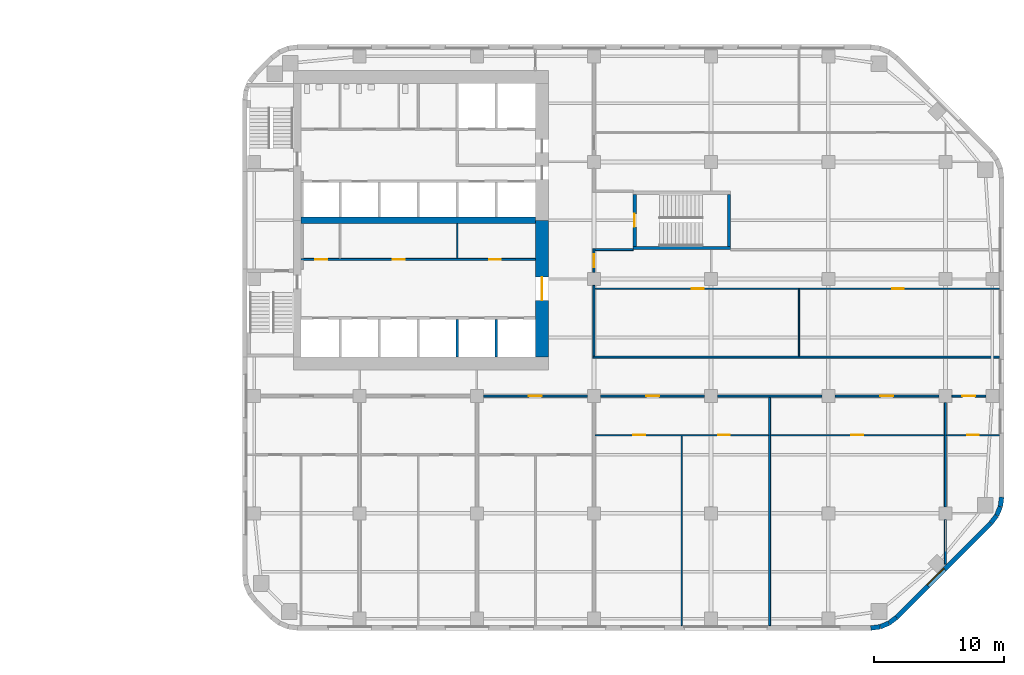
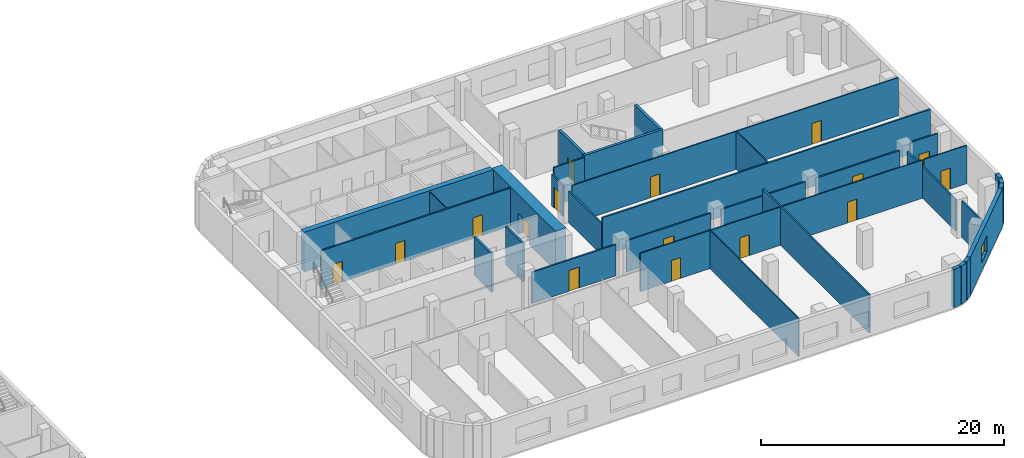
# One storey, part 10 of 16: 34 walls, 16 doors, 1 window, 17 openings.
"""IFC4 building model written with IfcOpenShell, lengths in metres."""

import ifcopenshell
import ifcopenshell.guid

model = None  # the IFC model being written
_history = None  # IfcOwnerHistory: only IFC2X3 demands one
_inside = {}  # id of a spatial element -> (the spatial element, [elements in it])
_under = {}  # id of a project, library or spatial element -> (it, [spatial elements below it])
_declared = {}  # id of a project -> (the project, [libraries it declares])
_typed = {}  # id of a type object -> (the type object, [elements of that type])
_made_of = {}  # id of a material, layer set ... -> (it, [elements and type objects made of it])


def new_model(schema):
    """Start an empty IFC model of exactly this schema.

    Asked for "IFC4X3", IfcOpenShell would pick the latest addendum, in which some entities
    have other attributes; the version numbers below select the first issue.
    IFC2X3 requires an IfcOwnerHistory on every rooted entity: one is made here for all.
    """
    global model, _history
    if schema == "IFC4X3":
        model = ifcopenshell.file(schema_version=(4, 3, 0, 0))
    else:
        model = ifcopenshell.file(schema=schema)
    _inside.clear()
    _under.clear()
    _declared.clear()
    _typed.clear()
    _made_of.clear()
    _history = None
    if model.schema == "IFC2X3":
        org = make("IfcOrganization", Name="unknown")
        user = make(
            "IfcPersonAndOrganization",
            ThePerson=make("IfcPerson", FamilyName="unknown"),
            TheOrganization=org,
        )
        app = make(
            "IfcApplication",
            ApplicationDeveloper=org,
            Version="unknown",
            ApplicationFullName="unknown",
            ApplicationIdentifier="unknown",
        )
        _history = make(
            "IfcOwnerHistory",
            OwningUser=user,
            OwningApplication=app,
            ChangeAction="ADDED",
            CreationDate=0,
        )
    return model


def make(cls, **values):
    """One entity of the class cls with the attributes given. An attribute that is None is left unset."""
    return model.create_entity(
        cls, **{name: value for name, value in values.items() if value is not None}
    )


def rooted(cls, **values):
    """An entity with a GlobalId (a new one), such as an element, a storey or a relation."""
    return make(cls, GlobalId=ifcopenshell.guid.new(), OwnerHistory=_history, **values)


def si_unit(unit_type, name, prefix=None):
    """IfcSIUnit, for example si_unit("LENGTHUNIT", "METRE", prefix="MILLI")."""
    return make("IfcSIUnit", UnitType=unit_type, Prefix=prefix, Name=name)


def assignment(units):
    """IfcUnitAssignment: the units of a project."""
    return None if units is None else make("IfcUnitAssignment", Units=units)


def point(xyz):
    """IfcCartesianPoint."""
    return None if xyz is None else make("IfcCartesianPoint", Coordinates=xyz)


def direction(xyz):
    """IfcDirection."""
    return None if xyz is None else make("IfcDirection", DirectionRatios=xyz)


def frame(location, z_axis=None, x_axis=None):
    """IfcAxis2Placement3D, a coordinate frame: its origin and axes. An axis left out is left unset."""
    return make(
        "IfcAxis2Placement3D",
        Location=point(location),
        Axis=direction(z_axis),
        RefDirection=direction(x_axis),
    )


def frame_2d(location, x_axis=None):
    """IfcAxis2Placement2D, a coordinate frame in the plane: its origin and x axis."""
    return make(
        "IfcAxis2Placement2D", Location=point(location), RefDirection=direction(x_axis)
    )


def origin():
    """The frame at (0, 0, 0) with its axes left unset."""
    return frame((0.0, 0.0, 0.0))


def place(relative_to, where):
    """IfcLocalPlacement: puts the frame where relative to a parent placement (None: the world)."""
    return make(
        "IfcLocalPlacement", PlacementRelTo=relative_to, RelativePlacement=where
    )


def context(
    kind, dimensions, precision=None, world=None, true_north=None, identifier=None
):
    """IfcGeometricRepresentationContext, for example the 3D "Model" context."""
    return make(
        "IfcGeometricRepresentationContext",
        ContextIdentifier=identifier,
        ContextType=kind,
        CoordinateSpaceDimension=dimensions,
        Precision=precision,
        WorldCoordinateSystem=world,
        TrueNorth=true_north,
    )


def subcontext(parent, identifier, kind, view, scale=None):
    """IfcGeometricRepresentationSubContext, for example "Body" below "Model"."""
    return make(
        "IfcGeometricRepresentationSubContext",
        ContextIdentifier=identifier,
        ContextType=kind,
        ParentContext=parent,
        TargetScale=scale,
        TargetView=view,
    )


def project(units=None, contexts=None):
    """IfcProject with its units and contexts."""
    return rooted(
        "IfcProject",
        Name="project",
        RepresentationContexts=contexts,
        UnitsInContext=assignment(units),
    )


def spatial(cls, under=None, at=None, **own):
    """A site, building, storey or space (cls), placed at a placement, below another one or the project."""
    s = rooted(cls, ObjectPlacement=at, **own)
    if under is not None:
        _under.setdefault(under.id(), (under, []))[1].append(s)
    return s


def profile(cls, at=None, kind="AREA", **sizes):
    """A parametric profile (cls). Its sizes go by their IFC names, for example OverallWidth=200.0."""
    return make(cls, ProfileType=kind, Position=at, **sizes)


def rectangle(**sizes):
    """IfcRectangleProfileDef."""
    return profile("IfcRectangleProfileDef", **sizes)


def extrude(swept, where, along, depth):
    """IfcExtrudedAreaSolid: the profile swept, set in the frame where, extruded along a direction by depth."""
    return make(
        "IfcExtrudedAreaSolid",
        SweptArea=swept,
        Position=where,
        ExtrudedDirection=direction(along),
        Depth=depth,
    )


def shape(context_of_items, identifier, shape_type, items):
    """IfcShapeRepresentation: the items that make up one representation, for example the "Body"."""
    return make(
        "IfcShapeRepresentation",
        ContextOfItems=context_of_items,
        RepresentationIdentifier=identifier,
        RepresentationType=shape_type,
        Items=items,
    )


def material(Name=None, Category=None):
    """IfcMaterial."""
    return make("IfcMaterial", Name=Name, Category=Category)


def layer(
    of_material, thickness, ventilated=None, Name=None, Category=None, Priority=None
):
    """IfcMaterialLayer: one layer of a wall or slab, of a material (None: an air gap)."""
    return make(
        "IfcMaterialLayer",
        Material=of_material,
        LayerThickness=thickness,
        IsVentilated=ventilated,
        Name=Name,
        Category=Category,
        Priority=Priority,
    )


def layer_set(layers, Name=None):
    """IfcMaterialLayerSet."""
    return make("IfcMaterialLayerSet", MaterialLayers=layers, LayerSetName=Name)


def made_of(thing, what):
    """Note that an element or type object is made of a material, layer set ...; save() writes the relation."""
    if what is not None:
        _made_of.setdefault(what.id(), (what, []))[1].append(thing)
    return thing


def type_object(cls, material=None, **own):
    """A type object (cls), such as IfcWallType, which elements share."""
    return made_of(rooted(cls, **own), material)


def element(
    cls,
    number,
    at=None,
    inside=None,
    cuts=None,
    type_object=None,
    material=None,
    context=None,
    identifier="Body",
    shape_type=None,
    held_by="IfcProductDefinitionShape",
    body=None,
    shapes=None,
    **own,
):
    """One element of the class cls, such as IfcWall. Its Tag is "e" and its number.

    at: its placement. inside: the storey or other place that contains it. cuts: it is an
    opening in that element (IfcRelVoidsElement). A single representation is given by context,
    identifier, shape_type and body (its items); several are given by shapes. held_by: the class
    of the entity that holds the representations. save() writes the other relations.
    """
    e = rooted(cls, Tag="e%d" % number, ObjectPlacement=at, **own)
    if body is not None:
        shapes = [shape(context, identifier, shape_type, body)]
    if shapes is not None:
        e.Representation = make(held_by, Representations=shapes)
    if inside is not None:
        _inside.setdefault(inside.id(), (inside, []))[1].append(e)
    if cuts is not None:
        rooted(
            "IfcRelVoidsElement", RelatingBuildingElement=cuts, RelatedOpeningElement=e
        )
    if type_object is not None:
        _typed.setdefault(type_object.id(), (type_object, []))[1].append(e)
    return made_of(e, material)


def fill(opening, filler):
    """IfcRelFillsElement: the door or window that sits in an opening."""
    return rooted(
        "IfcRelFillsElement",
        RelatingOpeningElement=opening,
        RelatedBuildingElement=filler,
    )


def aggregate(whole, parts):
    """IfcRelAggregates: a whole, such as a stair, and the parts it consists of."""
    return rooted("IfcRelAggregates", RelatingObject=whole, RelatedObjects=parts)


def save(model, path):
    """Write the relations noted so far, then the file.

    IfcRelAggregates (storeys below a building ...), IfcRelContainedInSpatialStructure (elements
    in a storey), IfcRelDefinesByType, IfcRelAssociatesMaterial and IfcRelDeclares: one each for
    every whole, place, type object, material and project.
    """
    for whole, parts in _under.values():
        aggregate(whole, parts)
    for where, things in _inside.values():
        rooted(
            "IfcRelContainedInSpatialStructure",
            RelatedElements=things,
            RelatingStructure=where,
        )
    for kind, things in _typed.values():
        rooted("IfcRelDefinesByType", RelatedObjects=things, RelatingType=kind)
    for what, things in _made_of.values():
        rooted("IfcRelAssociatesMaterial", RelatedObjects=things, RelatingMaterial=what)
    for by, libraries in _declared.values():
        rooted("IfcRelDeclares", RelatingContext=by, RelatedDefinitions=libraries)
    model.write(path)


model = new_model("IFC4")

# Units and contexts
model_context = context("Model", 3, precision=1e-05, world=origin(), true_north=direction((0.0, 1.0)))
body_context = subcontext(model_context, "Body", "Model", "MODEL_VIEW")
ifc_project = project(units=[si_unit("LENGTHUNIT", "METRE"), si_unit("AREAUNIT", "SQUARE_METRE"), si_unit("VOLUMEUNIT", "CUBIC_METRE"), si_unit("PLANEANGLEUNIT", "RADIAN"), si_unit("MASSUNIT", "GRAM", prefix="KILO")], contexts=[model_context])

# Site, building, storey
site_placement = place(None, origin())
site = spatial("IfcSite", under=ifc_project, at=site_placement, CompositionType="ELEMENT")
building_placement = place(site_placement, origin())
building = spatial("IfcBuilding", under=site, at=building_placement, Name="Cinnabar Reach Civic Tower", CompositionType="ELEMENT")
storey_placement = place(building_placement, frame((0.0, 0.0, 83.0)))
storey = spatial("IfcBuildingStorey", under=building, at=storey_placement, Name="L19", CompositionType="ELEMENT", Elevation=83.0)

# Walls
ifc_material_1 = material(Name="Facing brick with insulated backing", Category="masonry")
ifc_layer_1 = layer(ifc_material_1, 0.36)
ifc_layer_set_1 = layer_set([ifc_layer_1], Name="Brick corner wall")
wall_type_1 = type_object("IfcWallType", Name="Brick corner wall", PredefinedType="STANDARD", material=ifc_layer_set_1)
for number, where, z_axis, x_axis, name in (
    (1, (48.2686, 0.183, 0.0), (0.0, 0.0, 1.0), (0.99144092581, 0.13055608231, 0.0), "Brick corner wall"),
    (2, (48.9973, 0.2819, 0.0), (0.0, 0.0, 1.0), (0.923871547278, 0.382702709855, 0.0), "Brick corner wall"),
):
    element("IfcWall", number, at=place(storey_placement, frame(where, z_axis=z_axis, x_axis=x_axis)), inside=storey, type_object=wall_type_1, Name=name, PredefinedType="STANDARD", context=body_context, shape_type="SweptSolid", body=[
        extrude(rectangle(XDim=0.7131, YDim=0.36, at=frame_2d((0.3565, 0.0))), origin(), (0.0, 0.0, 1.0), 3.85),
    ])
for number, where, z_axis, x_axis, name in (
    (3, (49.6755, 0.566, 0.0), (0.0, 0.0, 1.0), (0.793321924995, 0.608802368033, 0.0), "Brick corner wall"),
    (4, (57.4998, 8.2587, 0.0), (0.0, 0.0, 1.0), (0.608802368033, 0.793321924995, 0.0), "Brick corner wall"),
):
    element("IfcWall", number, at=place(storey_placement, frame(where, z_axis=z_axis, x_axis=x_axis)), inside=storey, type_object=wall_type_1, Name=name, PredefinedType="STANDARD", context=body_context, shape_type="SweptSolid", body=[
        extrude(rectangle(XDim=0.7132, YDim=0.36, at=frame_2d((0.3566, 0.0))), origin(), (0.0, 0.0, 1.0), 3.85),
    ])
for number, where, z_axis, x_axis, name in (
    (5, (57.9452, 8.8439, 0.0), (0.0, 0.0, 1.0), (0.382702709855, 0.923871547278, 0.0), "Brick corner wall"),
    (6, (58.2239, 9.5244, 0.0), (0.0, 0.0, 1.0), (0.13055608231, 0.99144092581, 0.0), "Brick corner wall"),
):
    element("IfcWall", number, at=place(storey_placement, frame(where, z_axis=z_axis, x_axis=x_axis)), inside=storey, type_object=wall_type_1, Name=name, PredefinedType="STANDARD", context=body_context, shape_type="SweptSolid", body=[
        extrude(rectangle(XDim=0.7131, YDim=0.36, at=frame_2d((0.3565, 0.0))), origin(), (0.0, 0.0, 1.0), 3.85),
    ])

# Wall, opening, window
ifc_layer_2 = layer(ifc_material_1, 0.36)
ifc_layer_set_2 = layer_set([ifc_layer_2], Name="Brick pier and spandrel wall")
wall_type_2 = type_object("IfcWallType", Name="Brick pier and spandrel wall", PredefinedType="STANDARD", material=ifc_layer_set_2)
wall_1_placement = place(storey_placement, frame((50.2514, 1.006, 0.0), z_axis=(0.0, 0.0, 1.0), x_axis=(0.707106781187, 0.707106781187, 0.0)))
wall_1 = element("IfcWall", 7, at=wall_1_placement, inside=storey, type_object=wall_type_2, Name="Brick facade wall", PredefinedType="STANDARD", context=body_context, shape_type="SweptSolid", body=[
    extrude(rectangle(XDim=10.2426, YDim=0.36, at=frame_2d((5.1213, 0.0))), origin(), (0.0, 0.0, 1.0), 3.85),
])
opening_1_placement = place(wall_1_placement, frame((3.4213, 0.0, 0.9)))
opening_1 = element("IfcOpeningElement", 8, at=opening_1_placement, cuts=wall_1, Name="Opening W1384", PredefinedType="OPENING", context=body_context, shape_type="SweptSolid", body=[
    extrude(rectangle(XDim=1.8, YDim=1.6, at=frame_2d((0.9, 0.8))), frame((0.0, 0.19, 0.0), z_axis=(0.0, -1.0, 0.0), x_axis=(1.0, 0.0, 0.0)), (0.0, 0.0, 1.0), 0.38),
])
ifc_material_2 = material(Name="Clear double glazing in aluminium frame", Category="aluminium")
window_type = type_object("IfcWindowType", Name="Deep-set window D", PartitioningType="SINGLE_PANEL", PredefinedType="WINDOW", material=ifc_material_2)
window_placement = place(opening_1_placement, origin())
window = element("IfcWindow", 9, at=window_placement, inside=storey, type_object=window_type, Name="Window southeast face", OverallHeight=1.6, OverallWidth=1.8, PartitioningType="SINGLE_PANEL", PredefinedType="WINDOW", context=body_context, shape_type="SweptSolid", body=[
    extrude(rectangle(XDim=1.8, YDim=1.6, at=frame_2d((0.9, 0.8))), frame((0.0, 0.13, 0.0), z_axis=(0.0, -1.0, 0.0), x_axis=(1.0, 0.0, 0.0)), (0.0, 0.0, 1.0), 0.06),
])
fill(opening_1, window)

# Wall, opening, door
ifc_material_3 = material(Name="Concrete C70", Category="concrete")
ifc_layer_3 = layer(ifc_material_3, 1.0)
ifc_layer_set_3 = layer_set([ifc_layer_3], Name="Core wall 1000 EI 180")
wall_type_3 = type_object("IfcWallType", Name="Core wall 1000 EI 180", PredefinedType="SOLIDWALL", material=ifc_layer_set_3)
wall_2_placement = place(storey_placement, frame((23.0, 21.0, 0.0), z_axis=(0.0, 0.0, 1.0), x_axis=(0.0, 1.0, 0.0)))
wall_2 = element("IfcWall", 10, at=wall_2_placement, inside=storey, type_object=wall_type_3, Name="Core wall T1 L19 E", PredefinedType="SOLIDWALL", context=body_context, shape_type="SweptSolid", body=[
    extrude(rectangle(XDim=10.5, YDim=1.0, at=frame_2d((5.25, 0.0))), origin(), (0.0, 0.0, 1.0), 4.0),
])
opening_2_placement = place(wall_2_placement, frame((4.35, 0.0, 0.0)))
opening_2 = element("IfcOpeningElement", 11, at=opening_2_placement, cuts=wall_2, Name="Opening D3768", PredefinedType="OPENING", context=body_context, shape_type="SweptSolid", body=[
    extrude(rectangle(XDim=1.8, YDim=2.1, at=frame_2d((0.9, 1.05))), frame((0.0, 0.51, 0.0), z_axis=(0.0, -1.0, 0.0), x_axis=(1.0, 0.0, 0.0)), (0.0, 0.0, 1.0), 1.02),
])
ifc_material_4 = material(Name="Timber door leaf in steel frame", Category="steel")
door_type_1 = type_object("IfcDoorType", Name="Double swing door 1800 x 2100 T1", OperationType="DOUBLE_DOOR_DOUBLE_SWING", PredefinedType="DOOR", material=ifc_material_4)
door_1_placement = place(opening_2_placement, origin())
door_1 = element("IfcDoor", 12, at=door_1_placement, inside=storey, type_object=door_type_1, Name="Door D3768", OperationType="DOUBLE_DOOR_DOUBLE_SWING", OverallHeight=2.1, OverallWidth=1.8, PredefinedType="DOOR", context=body_context, shape_type="SweptSolid", body=[
    extrude(rectangle(XDim=1.8, YDim=2.1, at=frame_2d((0.9, 1.05))), frame((0.0, 0.025, 0.0), z_axis=(0.0, -1.0, 0.0), x_axis=(1.0, 0.0, 0.0)), (0.0, 0.0, 1.0), 0.05),
])
fill(opening_2, door_1)

# Wall
ifc_material_5 = material(Name="Concrete C60", Category="concrete")
ifc_layer_4 = layer(ifc_material_5, 0.5)
ifc_layer_set_4 = layer_set([ifc_layer_4], Name="Core wall 500 EI 180")
wall_type_4 = type_object("IfcWallType", Name="Core wall 500 EI 180", PredefinedType="SOLIDWALL", material=ifc_layer_set_4)
wall_3_placement = place(storey_placement, frame((4.5, 31.5, 0.0), z_axis=(0.0, 0.0, 1.0), x_axis=(1.0, 0.0, 0.0)))
element("IfcWall", 13, at=wall_3_placement, inside=storey, type_object=wall_type_4, Name="Core spine wall T1 L19", PredefinedType="SOLIDWALL", context=body_context, shape_type="SweptSolid", body=[
    extrude(rectangle(XDim=18.0, YDim=0.5, at=frame_2d((9.0, 0.0))), origin(), (0.0, 0.0, 1.0), 4.0),
])

# Wall, opening, door
ifc_material_6 = material(Name="Gypsum board on steel studs, double layer", Category="steel")
ifc_layer_5 = layer(ifc_material_6, 0.15)
ifc_layer_set_5 = layer_set([ifc_layer_5], Name="Corridor wall 150 T1")
wall_type_5 = type_object("IfcWallType", Name="Corridor wall 150 T1", PredefinedType="PARTITIONING", material=ifc_layer_set_5)
wall_4_placement = place(storey_placement, frame((54.5, 18.0, 0.0), z_axis=(0.0, 0.0, 1.0), x_axis=(1.0, 0.0, 0.0)))
wall_4 = element("IfcWall", 14, at=wall_4_placement, inside=storey, type_object=wall_type_5, Name="Corridor wall 19", PredefinedType="PARTITIONING", context=body_context, shape_type="SweptSolid", body=[
    extrude(rectangle(XDim=2.6, YDim=0.15, at=frame_2d((1.3, 0.0))), origin(), (0.0, 0.0, 1.0), 3.602),
])
opening_3_placement = place(wall_4_placement, frame((0.8, 0.0, 0.0)))
opening_3 = element("IfcOpeningElement", 15, at=opening_3_placement, cuts=wall_4, Name="Opening D3799", PredefinedType="OPENING", context=body_context, shape_type="SweptSolid", body=[
    extrude(rectangle(XDim=1.0, YDim=2.1, at=frame_2d((0.5, 1.05))), frame((0.0, 0.085, 0.0), z_axis=(0.0, -1.0, 0.0), x_axis=(1.0, 0.0, 0.0)), (0.0, 0.0, 1.0), 0.17),
])
door_type_2 = type_object("IfcDoorType", Name="Tenancy entrance door 1000 x 2100 T1", OperationType="SINGLE_SWING_LEFT", PredefinedType="DOOR", material=ifc_material_4)
door_2_placement = place(opening_3_placement, frame((1.0, 0.0, 0.0), z_axis=(0.0, 0.0, 1.0), x_axis=(-1.0, 0.0, 0.0)))
door_2 = element("IfcDoor", 16, at=door_2_placement, inside=storey, type_object=door_type_2, Name="Door D3799", OperationType="SINGLE_SWING_LEFT", OverallHeight=2.1, OverallWidth=1.0, PredefinedType="DOOR", context=body_context, shape_type="SweptSolid", body=[
    extrude(rectangle(XDim=1.0, YDim=2.1, at=frame_2d((0.5, 1.05))), frame((0.0, 0.025, 0.0), z_axis=(0.0, -1.0, 0.0), x_axis=(1.0, 0.0, 0.0)), (0.0, 0.0, 1.0), 0.05),
])
fill(opening_3, door_2)

wall_5_placement = place(storey_placement, frame((45.5, 18.0, 0.0), z_axis=(0.0, 0.0, 1.0), x_axis=(1.0, 0.0, 0.0)))
wall_5 = element("IfcWall", 17, at=wall_5_placement, inside=storey, type_object=wall_type_5, Name="Corridor wall 20", PredefinedType="PARTITIONING", context=body_context, shape_type="SweptSolid", body=[
    extrude(rectangle(XDim=8.0, YDim=0.15, at=frame_2d((4.0, 0.0))), origin(), (0.0, 0.0, 1.0), 3.15),
])
opening_4_placement = place(wall_5_placement, frame((3.5, 0.0, 0.0)))
opening_4 = element("IfcOpeningElement", 18, at=opening_4_placement, cuts=wall_5, Name="Opening D3797", PredefinedType="OPENING", context=body_context, shape_type="SweptSolid", body=[
    extrude(rectangle(XDim=1.0, YDim=2.1, at=frame_2d((0.5, 1.05))), frame((0.0, 0.085, 0.0), z_axis=(0.0, -1.0, 0.0), x_axis=(1.0, 0.0, 0.0)), (0.0, 0.0, 1.0), 0.17),
])
door_3_placement = place(opening_4_placement, frame((1.0, 0.0, 0.0), z_axis=(0.0, 0.0, 1.0), x_axis=(-1.0, 0.0, 0.0)))
door_3 = element("IfcDoor", 19, at=door_3_placement, inside=storey, type_object=door_type_2, Name="Door D3797", OperationType="SINGLE_SWING_RIGHT", OverallHeight=2.1, OverallWidth=1.0, PredefinedType="DOOR", context=body_context, shape_type="SweptSolid", body=[
    extrude(rectangle(XDim=1.0, YDim=2.1, at=frame_2d((0.5, 1.05))), frame((0.0, 0.025, 0.0), z_axis=(0.0, -1.0, 0.0), x_axis=(1.0, 0.0, 0.0)), (0.0, 0.0, 1.0), 0.05),
])
fill(opening_4, door_3)

# Wall
wall_6_placement = place(storey_placement, frame((36.5, 18.0, 0.0), z_axis=(0.0, 0.0, 1.0), x_axis=(1.0, 0.0, 0.0)))
element("IfcWall", 20, at=wall_6_placement, inside=storey, type_object=wall_type_5, Name="Corridor wall 21", PredefinedType="PARTITIONING", context=body_context, shape_type="SweptSolid", body=[
    extrude(rectangle(XDim=8.0, YDim=0.15, at=frame_2d((4.0, 0.0))), origin(), (0.0, 0.0, 1.0), 3.15),
])

# Wall, opening, door
wall_7_placement = place(storey_placement, frame((27.5, 18.0, 0.0), z_axis=(0.0, 0.0, 1.0), x_axis=(1.0, 0.0, 0.0)))
wall_7 = element("IfcWall", 21, at=wall_7_placement, inside=storey, type_object=wall_type_5, Name="Corridor wall 22", PredefinedType="PARTITIONING", context=body_context, shape_type="SweptSolid", body=[
    extrude(rectangle(XDim=8.0, YDim=0.15, at=frame_2d((4.0, 0.0))), origin(), (0.0, 0.0, 1.0), 3.15),
])
opening_5_placement = place(wall_7_placement, frame((3.5, 0.0, 0.0)))
opening_5 = element("IfcOpeningElement", 22, at=opening_5_placement, cuts=wall_7, Name="Opening D3794", PredefinedType="OPENING", context=body_context, shape_type="SweptSolid", body=[
    extrude(rectangle(XDim=1.0, YDim=2.1, at=frame_2d((0.5, 1.05))), frame((0.0, 0.085, 0.0), z_axis=(0.0, -1.0, 0.0), x_axis=(1.0, 0.0, 0.0)), (0.0, 0.0, 1.0), 0.17),
])
door_4_placement = place(opening_5_placement, frame((1.0, 0.0, 0.0), z_axis=(0.0, 0.0, 1.0), x_axis=(-1.0, 0.0, 0.0)))
door_4 = element("IfcDoor", 23, at=door_4_placement, inside=storey, type_object=door_type_2, Name="Door D3794", OperationType="SINGLE_SWING_RIGHT", OverallHeight=2.1, OverallWidth=1.0, PredefinedType="DOOR", context=body_context, shape_type="SweptSolid", body=[
    extrude(rectangle(XDim=1.0, YDim=2.1, at=frame_2d((0.5, 1.05))), frame((0.0, 0.025, 0.0), z_axis=(0.0, -1.0, 0.0), x_axis=(1.0, 0.0, 0.0)), (0.0, 0.0, 1.0), 0.05),
])
fill(opening_5, door_4)

wall_8_placement = place(storey_placement, frame((18.5, 18.0, 0.0), z_axis=(0.0, 0.0, 1.0), x_axis=(1.0, 0.0, 0.0)))
wall_8 = element("IfcWall", 24, at=wall_8_placement, inside=storey, type_object=wall_type_5, Name="Corridor wall 23", PredefinedType="PARTITIONING", context=body_context, shape_type="SweptSolid", body=[
    extrude(rectangle(XDim=8.0, YDim=0.15, at=frame_2d((4.0, 0.0))), origin(), (0.0, 0.0, 1.0), 3.15),
])
opening_6_placement = place(wall_8_placement, frame((3.5, 0.0, 0.0)))
opening_6 = element("IfcOpeningElement", 25, at=opening_6_placement, cuts=wall_8, Name="Opening D3791", PredefinedType="OPENING", context=body_context, shape_type="SweptSolid", body=[
    extrude(rectangle(XDim=1.0, YDim=2.1, at=frame_2d((0.5, 1.05))), frame((0.0, 0.085, 0.0), z_axis=(0.0, -1.0, 0.0), x_axis=(1.0, 0.0, 0.0)), (0.0, 0.0, 1.0), 0.17),
])
door_5_placement = place(opening_6_placement, frame((1.0, 0.0, 0.0), z_axis=(0.0, 0.0, 1.0), x_axis=(-1.0, 0.0, 0.0)))
door_5 = element("IfcDoor", 26, at=door_5_placement, inside=storey, type_object=door_type_2, Name="Door D3791", OperationType="SINGLE_SWING_LEFT", OverallHeight=2.1, OverallWidth=1.0, PredefinedType="DOOR", context=body_context, shape_type="SweptSolid", body=[
    extrude(rectangle(XDim=1.0, YDim=2.1, at=frame_2d((0.5, 1.05))), frame((0.0, 0.025, 0.0), z_axis=(0.0, -1.0, 0.0), x_axis=(1.0, 0.0, 0.0)), (0.0, 0.0, 1.0), 0.05),
])
fill(opening_6, door_5)

# Wall
wall_9_placement = place(storey_placement, frame((26.925, 21.0, 0.0), z_axis=(0.0, 0.0, 1.0), x_axis=(1.0, 0.0, 0.0)))
element("IfcWall", 27, at=wall_9_placement, inside=storey, type_object=wall_type_5, Name="Corridor wall 26", PredefinedType="PARTITIONING", context=body_context, shape_type="SweptSolid", body=[
    extrude(rectangle(XDim=31.215, YDim=0.15, at=frame_2d((15.6075, 0.0))), origin(), (0.0, 0.0, 1.0), 3.85),
])

# Wall, openings, doors
wall_10_placement = place(storey_placement, frame((4.5, 28.5, 0.0), z_axis=(0.0, 0.0, 1.0), x_axis=(1.0, 0.0, 0.0)))
wall_10 = element("IfcWall", 28, at=wall_10_placement, inside=storey, type_object=wall_type_5, Name="Corridor wall 27", PredefinedType="PARTITIONING", context=body_context, shape_type="SweptSolid", body=[
    extrude(rectangle(XDim=18.0, YDim=0.15, at=frame_2d((9.0, 0.0))), origin(), (0.0, 0.0, 1.0), 3.85),
])
opening_7_placement = place(wall_10_placement, frame((1.1, 0.0, 0.0)))
opening_7 = element("IfcOpeningElement", 29, at=opening_7_placement, cuts=wall_10, Name="Opening D3772", PredefinedType="OPENING", context=body_context, shape_type="SweptSolid", body=[
    extrude(rectangle(XDim=0.9, YDim=2.1, at=frame_2d((0.45, 1.05))), frame((0.0, 0.085, 0.0), z_axis=(0.0, -1.0, 0.0), x_axis=(1.0, 0.0, 0.0)), (0.0, 0.0, 1.0), 0.17),
])
opening_8_placement = place(wall_10_placement, frame((7.05, 0.0, 0.0)))
opening_8 = element("IfcOpeningElement", 30, at=opening_8_placement, cuts=wall_10, Name="Opening D3773", PredefinedType="OPENING", context=body_context, shape_type="SweptSolid", body=[
    extrude(rectangle(XDim=0.9, YDim=2.1, at=frame_2d((0.45, 1.05))), frame((0.0, 0.085, 0.0), z_axis=(0.0, -1.0, 0.0), x_axis=(1.0, 0.0, 0.0)), (0.0, 0.0, 1.0), 0.17),
])
opening_9_placement = place(wall_10_placement, frame((14.45, 0.0, 0.0)))
opening_9 = element("IfcOpeningElement", 31, at=opening_9_placement, cuts=wall_10, Name="Opening D3774", PredefinedType="OPENING", context=body_context, shape_type="SweptSolid", body=[
    extrude(rectangle(XDim=0.9, YDim=2.1, at=frame_2d((0.45, 1.05))), frame((0.0, 0.085, 0.0), z_axis=(0.0, -1.0, 0.0), x_axis=(1.0, 0.0, 0.0)), (0.0, 0.0, 1.0), 0.17),
])
door_type_3 = type_object("IfcDoorType", Name="Single swing door 900 x 2100 corridor T1", OperationType="SINGLE_SWING_LEFT", PredefinedType="DOOR", material=ifc_material_4)
door_6_placement = place(opening_7_placement, origin())
door_6 = element("IfcDoor", 32, at=door_6_placement, inside=storey, type_object=door_type_3, Name="Door D3772", OperationType="SINGLE_SWING_LEFT", OverallHeight=2.1, OverallWidth=0.9, PredefinedType="DOOR", context=body_context, shape_type="SweptSolid", body=[
    extrude(rectangle(XDim=0.9, YDim=2.1, at=frame_2d((0.45, 1.05))), frame((0.0, 0.025, 0.0), z_axis=(0.0, -1.0, 0.0), x_axis=(1.0, 0.0, 0.0)), (0.0, 0.0, 1.0), 0.05),
])
fill(opening_7, door_6)
door_7_placement = place(opening_8_placement, origin())
door_7 = element("IfcDoor", 33, at=door_7_placement, inside=storey, type_object=door_type_3, Name="Door D3773", OperationType="SINGLE_SWING_RIGHT", OverallHeight=2.1, OverallWidth=0.9, PredefinedType="DOOR", context=body_context, shape_type="SweptSolid", body=[
    extrude(rectangle(XDim=0.9, YDim=2.1, at=frame_2d((0.45, 1.05))), frame((0.0, 0.025, 0.0), z_axis=(0.0, -1.0, 0.0), x_axis=(1.0, 0.0, 0.0)), (0.0, 0.0, 1.0), 0.05),
])
fill(opening_8, door_7)
door_8_placement = place(opening_9_placement, origin())
door_8 = element("IfcDoor", 34, at=door_8_placement, inside=storey, type_object=door_type_3, Name="Door D3774", OperationType="SINGLE_SWING_RIGHT", OverallHeight=2.1, OverallWidth=0.9, PredefinedType="DOOR", context=body_context, shape_type="SweptSolid", body=[
    extrude(rectangle(XDim=0.9, YDim=2.1, at=frame_2d((0.45, 1.05))), frame((0.0, 0.025, 0.0), z_axis=(0.0, -1.0, 0.0), x_axis=(1.0, 0.0, 0.0)), (0.0, 0.0, 1.0), 0.05),
])
fill(opening_9, door_8)

# Wall
wall_11_placement = place(storey_placement, frame((27.0, 21.075, 0.0), z_axis=(0.0, 0.0, 1.0), x_axis=(0.0, 1.0, 0.0)))
element("IfcWall", 35, at=wall_11_placement, inside=storey, type_object=wall_type_5, Name="Corridor wall 31", PredefinedType="PARTITIONING", context=body_context, shape_type="SweptSolid", body=[
    extrude(rectangle(XDim=5.425, YDim=0.15, at=frame_2d((2.7125, 0.0))), origin(), (0.0, 0.0, 1.0), 3.158),
])

# Wall, opening, door
wall_12_placement = place(storey_placement, frame((27.0, 27.5, 0.0), z_axis=(0.0, 0.0, 1.0), x_axis=(0.0, 1.0, 0.0)))
wall_12 = element("IfcWall", 36, at=wall_12_placement, inside=storey, type_object=wall_type_5, Name="Corridor wall 32", PredefinedType="PARTITIONING", context=body_context, shape_type="SweptSolid", body=[
    extrude(rectangle(XDim=1.825, YDim=0.15, at=frame_2d((0.9125, 0.0))), origin(), (0.0, 0.0, 1.0), 3.158),
])
opening_10_placement = place(wall_12_placement, frame((0.4, 0.0, 0.0)))
opening_10 = element("IfcOpeningElement", 37, at=opening_10_placement, cuts=wall_12, Name="Opening D3782", PredefinedType="OPENING", context=body_context, shape_type="SweptSolid", body=[
    extrude(rectangle(XDim=1.0, YDim=2.1, at=frame_2d((0.5, 1.05))), frame((0.0, 0.085, 0.0), z_axis=(0.0, -1.0, 0.0), x_axis=(1.0, 0.0, 0.0)), (0.0, 0.0, 1.0), 0.17),
])
door_9_placement = place(opening_10_placement, frame((1.0, 0.0, 0.0), z_axis=(0.0, 0.0, 1.0), x_axis=(-1.0, 0.0, 0.0)))
door_9 = element("IfcDoor", 38, at=door_9_placement, inside=storey, type_object=door_type_2, Name="Door D3782", OperationType="SINGLE_SWING_LEFT", OverallHeight=2.1, OverallWidth=1.0, PredefinedType="DOOR", context=body_context, shape_type="SweptSolid", body=[
    extrude(rectangle(XDim=1.0, YDim=2.1, at=frame_2d((0.5, 1.05))), frame((0.0, 0.025, 0.0), z_axis=(0.0, -1.0, 0.0), x_axis=(1.0, 0.0, 0.0)), (0.0, 0.0, 1.0), 0.05),
])
fill(opening_10, door_9)

# Walls
wall_13_placement = place(storey_placement, frame((27.075, 29.25, 0.0), z_axis=(0.0, 0.0, 1.0), x_axis=(1.0, 0.0, 0.0)))
element("IfcWall", 39, at=wall_13_placement, inside=storey, type_object=wall_type_5, Name="Corridor wall 35", PredefinedType="PARTITIONING", context=body_context, shape_type="SweptSolid", body=[
    extrude(rectangle(XDim=2.925, YDim=0.15, at=frame_2d((1.4625, 0.0))), origin(), (0.0, 0.0, 1.0), 3.85),
])
ifc_material_7 = material(Name="Blockwork", Category="masonry")
ifc_layer_6 = layer(ifc_material_7, 0.2)
ifc_layer_set_6 = layer_set([ifc_layer_6], Name="Lift shaft wall 200 T1")
wall_type_6 = type_object("IfcWallType", Name="Lift shaft wall 200 T1", PredefinedType="PARTITIONING", material=ifc_layer_set_6)
for number, where, z_axis, x_axis, name in (
    (40, (16.5, 21.0, 0.0), (0.0, 0.0, 1.0), (0.0, 1.0, 0.0), "Lift shaft wall 15"),
    (41, (19.5, 21.0, 0.0), (0.0, 0.0, 1.0), (0.0, 1.0, 0.0), "Lift shaft wall 17"),
):
    element("IfcWall", number, at=place(storey_placement, frame(where, z_axis=z_axis, x_axis=x_axis)), inside=storey, type_object=wall_type_6, Name=name, PredefinedType="PARTITIONING", context=body_context, shape_type="SweptSolid", body=[
        extrude(rectangle(XDim=2.9, YDim=0.2, at=frame_2d((1.45, 0.0))), origin(), (0.0, 0.0, 1.0), 3.85),
    ])

# Wall, openings, doors
ifc_material_8 = material(Name="Gypsum board on steel studs", Category="steel")
ifc_layer_7 = layer(ifc_material_8, 0.1)
ifc_layer_set_7 = layer_set([ifc_layer_7], Name="Partition wall 100 T1")
wall_type_7 = type_object("IfcWallType", Name="Partition wall 100 T1", PredefinedType="PARTITIONING", material=ifc_layer_set_7)
wall_14_placement = place(storey_placement, frame((27.075, 15.0, 0.0), z_axis=(0.0, 0.0, 1.0), x_axis=(1.0, 0.0, 0.0)))
wall_14 = element("IfcWall", 42, at=wall_14_placement, inside=storey, type_object=wall_type_7, Name="Partition wall 50", PredefinedType="PARTITIONING", context=body_context, shape_type="SweptSolid", body=[
    extrude(rectangle(XDim=13.35, YDim=0.1, at=frame_2d((6.675, 0.0))), origin(), (0.0, 0.0, 1.0), 3.85),
])
opening_11_placement = place(wall_14_placement, frame((2.95, 0.0, 0.0)))
opening_11 = element("IfcOpeningElement", 43, at=opening_11_placement, cuts=wall_14, Name="Opening D3795", PredefinedType="OPENING", context=body_context, shape_type="SweptSolid", body=[
    extrude(rectangle(XDim=0.9, YDim=2.1, at=frame_2d((0.45, 1.05))), frame((0.0, 0.06, 0.0), z_axis=(0.0, -1.0, 0.0), x_axis=(1.0, 0.0, 0.0)), (0.0, 0.0, 1.0), 0.12),
])
opening_12_placement = place(wall_14_placement, frame((9.475, 0.0, 0.0)))
opening_12 = element("IfcOpeningElement", 44, at=opening_12_placement, cuts=wall_14, Name="Opening D3796", PredefinedType="OPENING", context=body_context, shape_type="SweptSolid", body=[
    extrude(rectangle(XDim=0.9, YDim=2.1, at=frame_2d((0.45, 1.05))), frame((0.0, 0.06, 0.0), z_axis=(0.0, -1.0, 0.0), x_axis=(1.0, 0.0, 0.0)), (0.0, 0.0, 1.0), 0.12),
])
door_type_4 = type_object("IfcDoorType", Name="Single swing door 900 x 2100 T1", OperationType="SINGLE_SWING_LEFT", PredefinedType="DOOR", material=ifc_material_4)
door_10_placement = place(opening_11_placement, frame((0.9, 0.0, 0.0), z_axis=(0.0, 0.0, 1.0), x_axis=(-1.0, 0.0, 0.0)))
door_10 = element("IfcDoor", 45, at=door_10_placement, inside=storey, type_object=door_type_4, Name="Door D3795", OperationType="SINGLE_SWING_LEFT", OverallHeight=2.1, OverallWidth=0.9, PredefinedType="DOOR", context=body_context, shape_type="SweptSolid", body=[
    extrude(rectangle(XDim=0.9, YDim=2.1, at=frame_2d((0.45, 1.05))), frame((0.0, 0.025, 0.0), z_axis=(0.0, -1.0, 0.0), x_axis=(1.0, 0.0, 0.0)), (0.0, 0.0, 1.0), 0.05),
])
fill(opening_11, door_10)
door_11_placement = place(opening_12_placement, frame((0.9, 0.0, 0.0), z_axis=(0.0, 0.0, 1.0), x_axis=(-1.0, 0.0, 0.0)))
door_11 = element("IfcDoor", 46, at=door_11_placement, inside=storey, type_object=door_type_4, Name="Door D3796", OperationType="SINGLE_SWING_RIGHT", OverallHeight=2.1, OverallWidth=0.9, PredefinedType="DOOR", context=body_context, shape_type="SweptSolid", body=[
    extrude(rectangle(XDim=0.9, YDim=2.1, at=frame_2d((0.45, 1.05))), frame((0.0, 0.025, 0.0), z_axis=(0.0, -1.0, 0.0), x_axis=(1.0, 0.0, 0.0)), (0.0, 0.0, 1.0), 0.05),
])
fill(opening_12, door_11)

# Wall, opening, door
wall_15_placement = place(storey_placement, frame((40.575, 15.0, 0.0), z_axis=(0.0, 0.0, 1.0), x_axis=(1.0, 0.0, 0.0)))
wall_15 = element("IfcWall", 47, at=wall_15_placement, inside=storey, type_object=wall_type_7, Name="Partition wall 51", PredefinedType="PARTITIONING", context=body_context, shape_type="SweptSolid", body=[
    extrude(rectangle(XDim=13.35, YDim=0.1, at=frame_2d((6.675, 0.0))), origin(), (0.0, 0.0, 1.0), 3.85),
])
opening_13_placement = place(wall_15_placement, frame((6.2, 0.0, 0.0)))
opening_13 = element("IfcOpeningElement", 48, at=opening_13_placement, cuts=wall_15, Name="Opening D3798", PredefinedType="OPENING", context=body_context, shape_type="SweptSolid", body=[
    extrude(rectangle(XDim=0.9, YDim=2.1, at=frame_2d((0.45, 1.05))), frame((0.0, 0.06, 0.0), z_axis=(0.0, -1.0, 0.0), x_axis=(1.0, 0.0, 0.0)), (0.0, 0.0, 1.0), 0.12),
])
door_12_placement = place(opening_13_placement, origin())
door_12 = element("IfcDoor", 49, at=door_12_placement, inside=storey, type_object=door_type_4, Name="Door D3798", OperationType="SINGLE_SWING_LEFT", OverallHeight=2.1, OverallWidth=0.9, PredefinedType="DOOR", context=body_context, shape_type="SweptSolid", body=[
    extrude(rectangle(XDim=0.9, YDim=2.1, at=frame_2d((0.45, 1.05))), frame((0.0, 0.025, 0.0), z_axis=(0.0, -1.0, 0.0), x_axis=(1.0, 0.0, 0.0)), (0.0, 0.0, 1.0), 0.05),
])
fill(opening_13, door_12)

wall_16_placement = place(storey_placement, frame((54.075, 15.0, 0.0), z_axis=(0.0, 0.0, 1.0), x_axis=(1.0, 0.0, 0.0)))
wall_16 = element("IfcWall", 50, at=wall_16_placement, inside=storey, type_object=wall_type_7, Name="Partition wall 52", PredefinedType="PARTITIONING", context=body_context, shape_type="SweptSolid", body=[
    extrude(rectangle(XDim=4.065, YDim=0.1, at=frame_2d((2.0325, 0.0))), origin(), (0.0, 0.0, 1.0), 3.85),
])
opening_14_placement = place(wall_16_placement, frame((1.6, 0.0, 0.0)))
opening_14 = element("IfcOpeningElement", 51, at=opening_14_placement, cuts=wall_16, Name="Opening D3800", PredefinedType="OPENING", context=body_context, shape_type="SweptSolid", body=[
    extrude(rectangle(XDim=0.9, YDim=2.1, at=frame_2d((0.45, 1.05))), frame((0.0, 0.06, 0.0), z_axis=(0.0, -1.0, 0.0), x_axis=(1.0, 0.0, 0.0)), (0.0, 0.0, 1.0), 0.12),
])
door_13_placement = place(opening_14_placement, origin())
door_13 = element("IfcDoor", 52, at=door_13_placement, inside=storey, type_object=door_type_4, Name="Door D3800", OperationType="SINGLE_SWING_LEFT", OverallHeight=2.1, OverallWidth=0.9, PredefinedType="DOOR", context=body_context, shape_type="SweptSolid", body=[
    extrude(rectangle(XDim=0.9, YDim=2.1, at=frame_2d((0.45, 1.05))), frame((0.0, 0.025, 0.0), z_axis=(0.0, -1.0, 0.0), x_axis=(1.0, 0.0, 0.0)), (0.0, 0.0, 1.0), 0.05),
])
fill(opening_14, door_13)

# Wall, openings, doors
wall_17_placement = place(storey_placement, frame((27.075, 26.25, 0.0), z_axis=(0.0, 0.0, 1.0), x_axis=(1.0, 0.0, 0.0)))
wall_17 = element("IfcWall", 53, at=wall_17_placement, inside=storey, type_object=wall_type_7, Name="Partition wall 53", PredefinedType="PARTITIONING", context=body_context, shape_type="SweptSolid", body=[
    extrude(rectangle(XDim=31.065, YDim=0.1, at=frame_2d((15.5325, 0.0))), origin(), (0.0, 0.0, 1.0), 3.85),
])
opening_15_placement = place(wall_17_placement, frame((7.45, 0.0, 0.0)))
opening_15 = element("IfcOpeningElement", 54, at=opening_15_placement, cuts=wall_17, Name="Opening D3783", PredefinedType="OPENING", context=body_context, shape_type="SweptSolid", body=[
    extrude(rectangle(XDim=0.9, YDim=2.1, at=frame_2d((0.45, 1.05))), frame((0.0, 0.06, 0.0), z_axis=(0.0, -1.0, 0.0), x_axis=(1.0, 0.0, 0.0)), (0.0, 0.0, 1.0), 0.12),
])
opening_16_placement = place(wall_17_placement, frame((22.825, 0.0, 0.0)))
opening_16 = element("IfcOpeningElement", 55, at=opening_16_placement, cuts=wall_17, Name="Opening D3784", PredefinedType="OPENING", context=body_context, shape_type="SweptSolid", body=[
    extrude(rectangle(XDim=0.9, YDim=2.1, at=frame_2d((0.45, 1.05))), frame((0.0, 0.06, 0.0), z_axis=(0.0, -1.0, 0.0), x_axis=(1.0, 0.0, 0.0)), (0.0, 0.0, 1.0), 0.12),
])
door_14_placement = place(opening_15_placement, frame((0.9, 0.0, 0.0), z_axis=(0.0, 0.0, 1.0), x_axis=(-1.0, 0.0, 0.0)))
door_14 = element("IfcDoor", 56, at=door_14_placement, inside=storey, type_object=door_type_4, Name="Door D3783", OperationType="SINGLE_SWING_LEFT", OverallHeight=2.1, OverallWidth=0.9, PredefinedType="DOOR", context=body_context, shape_type="SweptSolid", body=[
    extrude(rectangle(XDim=0.9, YDim=2.1, at=frame_2d((0.45, 1.05))), frame((0.0, 0.025, 0.0), z_axis=(0.0, -1.0, 0.0), x_axis=(1.0, 0.0, 0.0)), (0.0, 0.0, 1.0), 0.05),
])
fill(opening_15, door_14)
door_15_placement = place(opening_16_placement, frame((0.9, 0.0, 0.0), z_axis=(0.0, 0.0, 1.0), x_axis=(-1.0, 0.0, 0.0)))
door_15 = element("IfcDoor", 57, at=door_15_placement, inside=storey, type_object=door_type_4, Name="Door D3784", OperationType="SINGLE_SWING_RIGHT", OverallHeight=2.1, OverallWidth=0.9, PredefinedType="DOOR", context=body_context, shape_type="SweptSolid", body=[
    extrude(rectangle(XDim=0.9, YDim=2.1, at=frame_2d((0.45, 1.05))), frame((0.0, 0.025, 0.0), z_axis=(0.0, -1.0, 0.0), x_axis=(1.0, 0.0, 0.0)), (0.0, 0.0, 1.0), 0.05),
])
fill(opening_16, door_15)

# Walls
wall_18_placement = place(storey_placement, frame((33.75, 0.36, 0.0), z_axis=(0.0, 0.0, 1.0), x_axis=(0.0, 1.0, 0.0)))
element("IfcWall", 58, at=wall_18_placement, inside=storey, type_object=wall_type_7, Name="Partition wall 58", PredefinedType="PARTITIONING", context=body_context, shape_type="SweptSolid", body=[
    extrude(rectangle(XDim=14.59, YDim=0.1, at=frame_2d((7.295, 0.0))), origin(), (0.0, 0.0, 1.0), 3.85),
])
wall_19_placement = place(storey_placement, frame((42.75, 21.075, 0.0), z_axis=(0.0, 0.0, 1.0), x_axis=(0.0, 1.0, 0.0)))
element("IfcWall", 59, at=wall_19_placement, inside=storey, type_object=wall_type_7, Name="Partition wall 63", PredefinedType="PARTITIONING", context=body_context, shape_type="SweptSolid", body=[
    extrude(rectangle(XDim=5.125, YDim=0.1, at=frame_2d((2.5625, 0.0))), origin(), (0.0, 0.0, 1.0), 3.85),
])
wall_20_placement = place(storey_placement, frame((16.5, 28.575, 0.0), z_axis=(0.0, 0.0, 1.0), x_axis=(0.0, 1.0, 0.0)))
element("IfcWall", 60, at=wall_20_placement, inside=storey, type_object=wall_type_7, Name="Partition wall 67", PredefinedType="PARTITIONING", context=body_context, shape_type="SweptSolid", body=[
    extrude(rectangle(XDim=2.675, YDim=0.1, at=frame_2d((1.3375, 0.0))), origin(), (0.0, 0.0, 1.0), 3.85),
])
ifc_layer_8 = layer(ifc_material_5, 0.25)
ifc_layer_set_8 = layer_set([ifc_layer_8], Name="Stair shaft wall 250 EI 120")
wall_type_8 = type_object("IfcWallType", Name="Stair shaft wall 250 EI 120", PredefinedType="SOLIDWALL", material=ifc_layer_set_8)
wall_21_placement = place(storey_placement, frame((30.0, 29.375, 0.0), z_axis=(0.0, 0.0, 1.0), x_axis=(1.0, 0.0, 0.0)))
element("IfcWall", 61, at=wall_21_placement, inside=storey, type_object=wall_type_8, Name="Stair shaft wall T1-S3 L19", PredefinedType="SOLIDWALL", context=body_context, shape_type="SweptSolid", body=[
    extrude(rectangle(XDim=7.5, YDim=0.25, at=frame_2d((3.75, 0.0))), origin(), (0.0, 0.0, 1.0), 4.0),
])
wall_22_placement = place(storey_placement, frame((37.375, 29.5, 0.0), z_axis=(0.0, 0.0, 1.0), x_axis=(0.0, 1.0, 0.0)))
element("IfcWall", 62, at=wall_22_placement, inside=storey, type_object=wall_type_8, Name="Stair shaft wall T1-S3 L19", PredefinedType="SOLIDWALL", context=body_context, shape_type="SweptSolid", body=[
    extrude(rectangle(XDim=4.0, YDim=0.25, at=frame_2d((2.0, 0.0))), origin(), (0.0, 0.0, 1.0), 4.0),
])

# Wall, opening, door
wall_23_placement = place(storey_placement, frame((30.125, 33.5, 0.0), z_axis=(0.0, 0.0, 1.0), x_axis=(0.0, -1.0, 0.0)))
wall_23 = element("IfcWall", 63, at=wall_23_placement, inside=storey, type_object=wall_type_8, Name="Stair shaft wall T1-S3 L19", PredefinedType="SOLIDWALL", context=body_context, shape_type="SweptSolid", body=[
    extrude(rectangle(XDim=4.0, YDim=0.25, at=frame_2d((2.0, 0.0))), origin(), (0.0, 0.0, 1.0), 4.0),
])
opening_17_placement = place(wall_23_placement, frame((1.5, 0.0, 0.0)))
opening_17 = element("IfcOpeningElement", 64, at=opening_17_placement, cuts=wall_23, Name="Opening D3771", PredefinedType="OPENING", context=body_context, shape_type="SweptSolid", body=[
    extrude(rectangle(XDim=1.0, YDim=2.1, at=frame_2d((0.5, 1.05))), frame((0.0, 0.135, 0.0), z_axis=(0.0, -1.0, 0.0), x_axis=(1.0, 0.0, 0.0)), (0.0, 0.0, 1.0), 0.27),
])
door_type_5 = type_object("IfcDoorType", Name="Stair door 1000 x 2100 T1", OperationType="SINGLE_SWING_LEFT", PredefinedType="DOOR", material=ifc_material_4)
door_16_placement = place(opening_17_placement, origin())
door_16 = element("IfcDoor", 65, at=door_16_placement, inside=storey, type_object=door_type_5, Name="Door D3771", OperationType="SINGLE_SWING_LEFT", OverallHeight=2.1, OverallWidth=1.0, PredefinedType="DOOR", context=body_context, shape_type="SweptSolid", body=[
    extrude(rectangle(XDim=1.0, YDim=2.1, at=frame_2d((0.5, 1.05))), frame((0.0, 0.025, 0.0), z_axis=(0.0, -1.0, 0.0), x_axis=(1.0, 0.0, 0.0)), (0.0, 0.0, 1.0), 0.05),
])
fill(opening_17, door_16)

# Walls
ifc_layer_9 = layer(ifc_material_6, 0.15)
ifc_layer_set_9 = layer_set([ifc_layer_9], Name="Tenancy separating wall 150 T1")
wall_type_9 = type_object("IfcWallType", Name="Tenancy separating wall 150 T1", PredefinedType="PARTITIONING", material=ifc_layer_set_9)
wall_24_placement = place(storey_placement, frame((40.5, 0.36, 0.0), z_axis=(0.0, 0.0, 1.0), x_axis=(0.0, 1.0, 0.0)))
element("IfcWall", 66, at=wall_24_placement, inside=storey, type_object=wall_type_9, Name="Tenancy separating wall 47", PredefinedType="PARTITIONING", context=body_context, shape_type="SweptSolid", body=[
    extrude(rectangle(XDim=17.565, YDim=0.15, at=frame_2d((8.7825, 0.0))), origin(), (0.0, 0.0, 1.0), 3.85),
])
wall_25_placement = place(storey_placement, frame((54.0, 5.084, 0.0), z_axis=(0.0, 0.0, 1.0), x_axis=(0.0, 1.0, 0.0)))
element("IfcWall", 67, at=wall_25_placement, inside=storey, type_object=wall_type_9, Name="Tenancy separating wall 48", PredefinedType="PARTITIONING", context=body_context, shape_type="SweptSolid", body=[
    extrude(rectangle(XDim=3.416, YDim=0.15, at=frame_2d((1.708, 0.0))), origin(), (0.0, 0.0, 1.0), 3.652),
])
wall_26_placement = place(storey_placement, frame((54.0, 9.5, 0.0), z_axis=(0.0, 0.0, 1.0), x_axis=(0.0, 1.0, 0.0)))
element("IfcWall", 68, at=wall_26_placement, inside=storey, type_object=wall_type_9, Name="Tenancy separating wall 49", PredefinedType="PARTITIONING", context=body_context, shape_type="SweptSolid", body=[
    extrude(rectangle(XDim=8.0, YDim=0.15, at=frame_2d((4.0, 0.0))), origin(), (0.0, 0.0, 1.0), 3.158),
])

save(model, "model.ifc")
